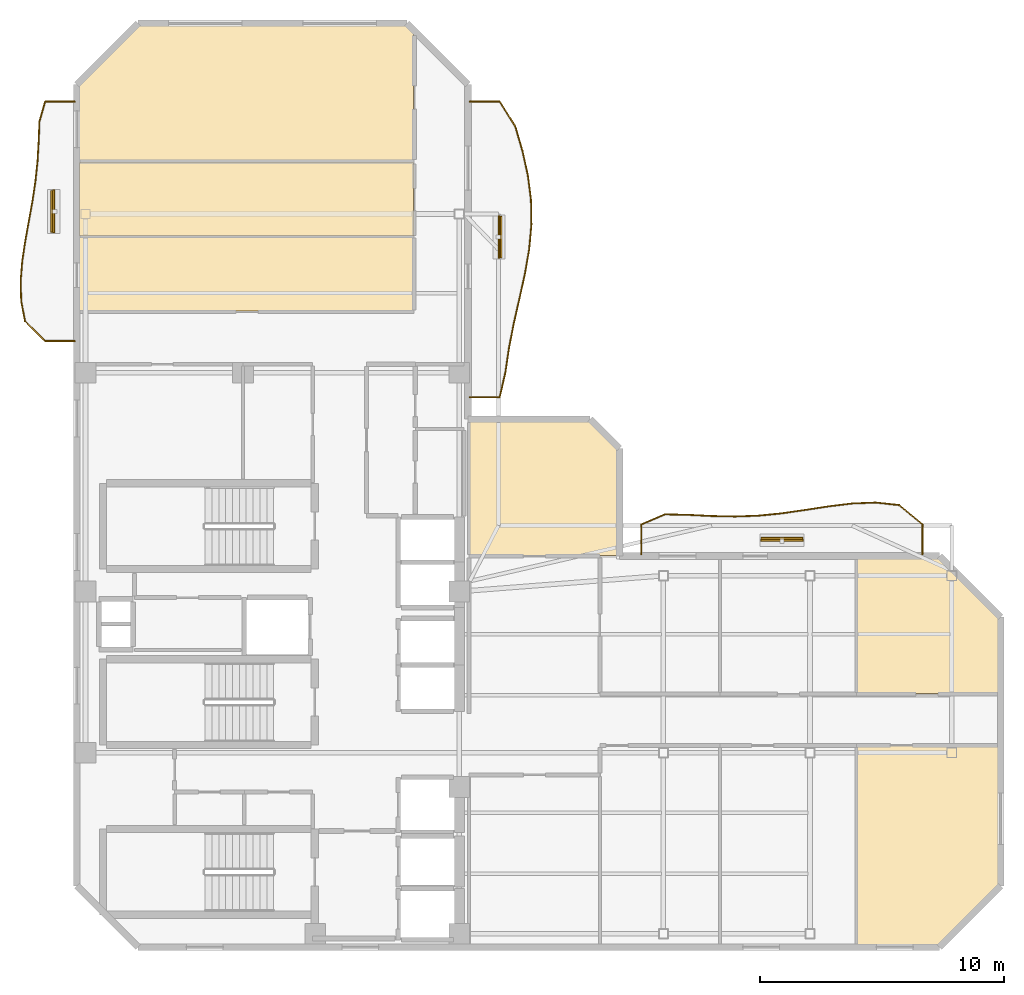
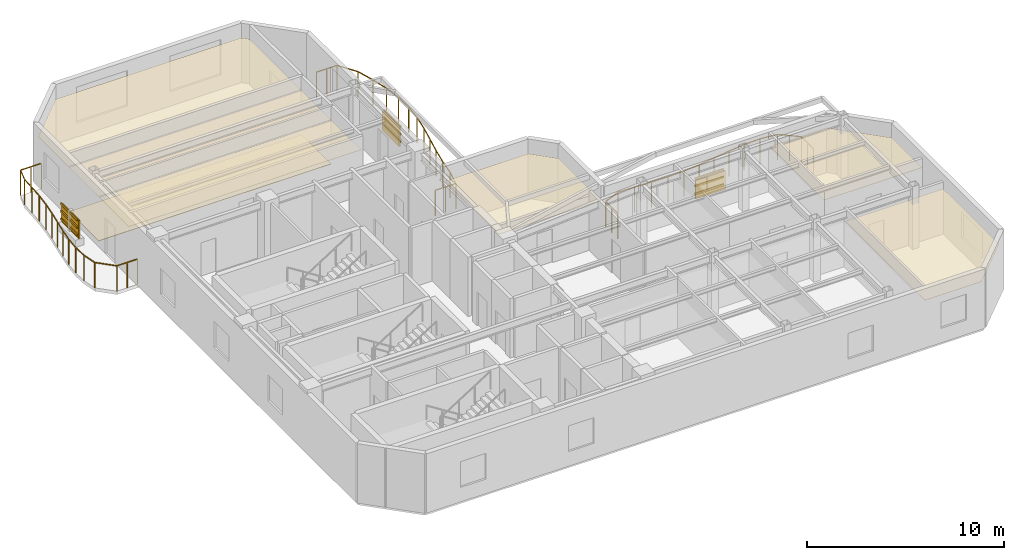
# One storey, part 7 of 7: 12 shading devices, 7 coverings, 3 railings.
"""IFC4 building model written with IfcOpenShell, lengths in metres."""

from ifc_helpers import new_model, si_unit, direction, frame, origin, origin_2d, place, context, subcontext, project, spatial, polyline, rectangle, outline, extrude, material, layer, layer_set, material_profile, profile_set, type_object, element, save


model = new_model("IFC4")

# Units and contexts
model_context = context("Model", 3, precision=1e-05, world=origin(), true_north=direction((0.0, 1.0)))
body_context = subcontext(model_context, "Body", "Model", "MODEL_VIEW")
ifc_project = project(units=[si_unit("LENGTHUNIT", "METRE"), si_unit("AREAUNIT", "SQUARE_METRE"), si_unit("VOLUMEUNIT", "CUBIC_METRE"), si_unit("PLANEANGLEUNIT", "RADIAN"), si_unit("MASSUNIT", "GRAM", prefix="KILO")], contexts=[model_context])

# Site, building, storey
site_placement = place(None, origin())
site = spatial("IfcSite", under=ifc_project, at=site_placement, CompositionType="ELEMENT")
building_placement = place(site_placement, origin())
building = spatial("IfcBuilding", under=site, at=building_placement, Name="Mawjaban Terraces University", CompositionType="ELEMENT")
storey_placement = place(building_placement, frame((0.0, 0.0, 298.89990234375)))
storey = spatial("IfcBuildingStorey", under=building, at=storey_placement, Name="L73", CompositionType="ELEMENT", Elevation=298.89990234375)

# Coverings
ifc_material_1 = material(Name="Acoustic mineral fibre ceiling tile", Category="masonry")
ifc_layer_1 = layer(ifc_material_1, 0.02001953125)
ifc_layer_set_1 = layer_set([ifc_layer_1], Name="Acoustic mineral fibre ceiling tile")
covering_type_1 = type_object("IfcCoveringType", Name="AcousticMineralCeiling_20", PredefinedType="CEILING", material=ifc_layer_set_1)
covering_1_placement = place(storey_placement, frame((0.0, 0.0, 2.75)))
element("IfcCovering", 1, at=covering_1_placement, inside=storey, type_object=covering_type_1, Name="L73 Departmental Office 6 Acoustic Ceiling", PredefinedType="CEILING", context=body_context, shape_type="SweptSolid", body=[
    extrude(outline(polyline([(53.926025390625, 0.114990234375), (57.2529296875, 0.114990234375), (59.68505859375, 2.547119140625), (59.68505859375, 8.219970703125), (53.926025390625, 8.219970703125), (53.926025390625, 0.114990234375)])), origin(), (0.0, 0.0, 1.0), 0.02001953125),
])
covering_2_placement = place(storey_placement, frame((0.0, 0.0, 2.75)))
element("IfcCovering", 2, at=covering_2_placement, inside=storey, type_object=covering_type_1, Name="L73 Faculty Office 7 Acoustic Ceiling", PredefinedType="CEILING", context=body_context, shape_type="SweptSolid", body=[
    extrude(outline(polyline([(59.68505859375, 10.3798828125), (59.68505859375, 13.452880859375), (57.2529296875, 15.885009765625), (53.926025390625, 15.885009765625), (53.926025390625, 10.3798828125), (59.68505859375, 10.3798828125)])), origin(), (0.0, 0.0, 1.0), 0.02001953125),
])
covering_3_placement = place(storey_placement, frame((0.0, 0.0, 2.75)))
element("IfcCovering", 3, at=covering_3_placement, inside=storey, type_object=covering_type_1, Name="L73 Departmental Office 8 Acoustic Ceiling", PredefinedType="CEILING", context=body_context, shape_type="SweptSolid", body=[
    extrude(outline(polyline([(22.114990234375, 29.0380859375), (22.114990234375, 26.030029296875), (35.77001953125, 26.030029296875), (35.77001953125, 29.0380859375), (22.114990234375, 29.0380859375)])), origin(), (0.0, 0.0, 1.0), 0.02001953125),
])
covering_4_placement = place(storey_placement, frame((0.0, 0.0, 2.75)))
element("IfcCovering", 4, at=covering_4_placement, inside=storey, type_object=covering_type_1, Name="L73 Quiet Reading Room 9 Acoustic Ceiling", PredefinedType="CEILING", context=body_context, shape_type="SweptSolid", body=[
    extrude(outline(polyline([(22.114990234375, 32.10595703125), (22.114990234375, 29.097900390625), (35.77001953125, 29.097900390625), (35.77001953125, 32.10595703125), (22.114990234375, 32.10595703125)])), origin(), (0.0, 0.0, 1.0), 0.02001953125),
])
covering_5_placement = place(storey_placement, frame((0.0, 0.0, 2.75)))
element("IfcCovering", 5, at=covering_5_placement, inside=storey, type_object=covering_type_1, Name="L73 Media Workshop 10 Acoustic Ceiling", PredefinedType="CEILING", context=body_context, shape_type="SweptSolid", body=[
    extrude(outline(polyline([(35.77001953125, 37.367919921875), (35.452880859375, 37.68505859375), (24.547119140625, 37.68505859375), (22.114990234375, 35.2529296875), (22.114990234375, 32.166015625), (35.77001953125, 32.166015625), (35.77001953125, 37.367919921875)])), origin(), (0.0, 0.0, 1.0), 0.02001953125),
])
covering_6_placement = place(storey_placement, frame((0.0, 0.0, 2.75)))
element("IfcCovering", 6, at=covering_6_placement, inside=storey, type_object=covering_type_1, Name="L73 Terrace Collaborative Study Room Acoustic Ceiling", PredefinedType="CEILING", context=body_context, shape_type="SweptSolid", body=[
    extrude(outline(polyline([(44.0849609375, 16.030029296875), (44.0849609375, 20.35302734375), (42.952880859375, 21.485107421875), (38.080078125, 21.485107421875), (38.080078125, 16.030029296875), (44.0849609375, 16.030029296875)])), origin(), (0.0, 0.0, 1.0), 0.02001953125),
])

# Railings
ifc_material_2 = material(Name="Galvanised powder-coated steel S355", Category="steel")
railing_type = type_object("IfcRailingType", Name="BalconyBalustrade_1600", PredefinedType="BALUSTRADE", material=ifc_material_2)
railing_1_placement = place(storey_placement, frame((21.919921875, 24.800048828125, 0.0)))
element("IfcRailing", 7, at=railing_1_placement, inside=storey, type_object=railing_type, Name="L73 Balcony Guardrail west", PredefinedType="BALUSTRADE", context=body_context, shape_type="SweptSolid", body=[
    extrude(rectangle(XDim=0.048095703125, YDim=0.048095703125, at=origin_2d()), frame((0.0, 0.0, 1.576171875), z_axis=(-1.0, 0.0, 0.0), x_axis=(0.0, -1.0, 0.0)), (0.0, 0.0, 1.0), 1.219970703125),
    extrude(rectangle(XDim=0.048095703125, YDim=0.048095703125, at=origin_2d()), frame((-1.219970703125, 0.0, 1.576171875), z_axis=(-0.710568043921, 0.703628492145, 0.0), x_axis=(-0.703628492145, -0.710568043921, 0.0)), (0.0, 0.0, 1.0), 1.160888671875),
    extrude(rectangle(XDim=0.048095703125, YDim=0.048095703125, at=origin_2d()), frame((-2.044921875, 0.81689453125, 1.576171875), z_axis=(-0.186612427055, 0.982433612041, 0.0), x_axis=(-0.982433612041, -0.186612427055, 0.0)), (0.0, 0.0, 1.0), 0.830810546875),
    extrude(rectangle(XDim=0.048095703125, YDim=0.048095703125, at=origin_2d()), frame((-2.199951171875, 1.633056640625, 1.576171875), z_axis=(-0.029276148669, 0.999571361694, 0.0), x_axis=(-0.999571361694, -0.029276148669, 0.0)), (0.0, 0.0, 1.0), 0.817138671875),
    extrude(rectangle(XDim=0.048095703125, YDim=0.048095703125, at=origin_2d()), frame((-2.223876953125, 2.449951171875, 1.576171875), z_axis=(0.079247882329, 0.996854940875, 0.0), x_axis=(-0.996854940875, 0.079247882329, 0.0)), (0.0, 0.0, 1.0), 0.819580078125),
    extrude(rectangle(XDim=0.048095703125, YDim=0.048095703125, at=origin_2d()), frame((-2.158935546875, 3.266845703125, 1.576171875), z_axis=(0.147920908399, 0.988999193558, 0.0), x_axis=(-0.988999193558, 0.147920908399, 0.0)), (0.0, 0.0, 1.0), 0.8251953125),
    extrude(rectangle(XDim=0.048095703125, YDim=0.048095703125, at=origin_2d()), frame((-2.036865234375, 4.0830078125, 1.576171875), z_axis=(0.178212541097, 0.983992017344, 0.0), x_axis=(-0.983992017344, 0.178212541097, 0.0)), (0.0, 0.0, 1.0), 0.830078125),
    extrude(rectangle(XDim=0.048095703125, YDim=0.048095703125, at=origin_2d()), frame((-1.888916015625, 4.89990234375, 1.576171875), z_axis=(0.178160985967, 0.98400135319, 0.0), x_axis=(-0.98400135319, 0.178160985967, 0.0)), (0.0, 0.0, 1.0), 0.830322265625),
    extrude(rectangle(XDim=0.048095703125, YDim=0.048095703125, at=origin_2d()), frame((-1.740966796875, 5.717041015625, 1.576171875), z_axis=(0.147964200706, 0.988992717521, 0.0), x_axis=(-0.988992717521, 0.147964200706, 0.0)), (0.0, 0.0, 1.0), 0.824951171875),
    extrude(rectangle(XDim=0.048095703125, YDim=0.048095703125, at=origin_2d()), frame((-1.618896484375, 6.532958984375, 1.576171875), z_axis=(0.10462289655, 0.994511965497, 0.0), x_axis=(-0.994511965497, 0.10462289655, 0.0)), (0.0, 0.0, 1.0), 0.8212890625),
    extrude(rectangle(XDim=0.048095703125, YDim=0.048095703125, at=origin_2d()), frame((-1.532958984375, 7.349853515625, 1.576171875), z_axis=(0.057567949493, 0.998341590434, 0.0), x_axis=(-0.998341590434, 0.057567949493, 0.0)), (0.0, 0.0, 1.0), 0.818603515625),
    extrude(rectangle(XDim=0.048095703125, YDim=0.048095703125, at=origin_2d()), frame((-1.48583984375, 8.1669921875, 1.576171875), z_axis=(0.039168005907, 0.999232639235, 0.0), x_axis=(-0.999232639235, 0.039168005907, 0.0)), (0.0, 0.0, 1.0), 0.816650390625),
    extrude(rectangle(XDim=0.048095703125, YDim=0.048095703125, at=origin_2d()), frame((-1.453857421875, 8.98291015625, 1.576171875), z_axis=(0.275176346112, 0.961393768724, 0.0), x_axis=(-0.961393768724, 0.275176346112, 0.0)), (0.0, 0.0, 1.0), 0.849853515625),
    extrude(rectangle(XDim=0.048095703125, YDim=0.048095703125, at=origin_2d()), frame((-1.219970703125, 9.800048828125, 1.576171875), z_axis=(1.0, 0.0, 0.0), x_axis=(0.0, 1.0, 0.0)), (0.0, 0.0, 1.0), 1.219970703125),
    extrude(rectangle(XDim=0.0419921875, YDim=0.0419921875, at=origin_2d()), origin(), (0.0, 0.0, 1.0), 1.552001953125),
    extrude(rectangle(XDim=0.0419921875, YDim=0.0419921875, at=origin_2d()), frame((-0.60986328125, 0.0, 0.0)), (0.0, 0.0, 1.0), 1.552001953125),
    extrude(rectangle(XDim=0.0419921875, YDim=0.0419921875, at=origin_2d()), frame((-1.219970703125, 0.0, 0.0)), (0.0, 0.0, 1.0), 1.552001953125),
    extrude(rectangle(XDim=0.0419921875, YDim=0.0419921875, at=origin_2d()), frame((-2.044921875, 0.81689453125, 0.0)), (0.0, 0.0, 1.0), 1.552001953125),
    extrude(rectangle(XDim=0.0419921875, YDim=0.0419921875, at=origin_2d()), frame((-2.199951171875, 1.633056640625, 0.0)), (0.0, 0.0, 1.0), 1.552001953125),
    extrude(rectangle(XDim=0.0419921875, YDim=0.0419921875, at=origin_2d()), frame((-2.223876953125, 2.449951171875, 0.0)), (0.0, 0.0, 1.0), 1.552001953125),
    extrude(rectangle(XDim=0.0419921875, YDim=0.0419921875, at=origin_2d()), frame((-2.158935546875, 3.266845703125, 0.0)), (0.0, 0.0, 1.0), 1.552001953125),
    extrude(rectangle(XDim=0.0419921875, YDim=0.0419921875, at=origin_2d()), frame((-2.036865234375, 4.0830078125, 0.0)), (0.0, 0.0, 1.0), 1.552001953125),
    extrude(rectangle(XDim=0.0419921875, YDim=0.0419921875, at=origin_2d()), frame((-1.888916015625, 4.89990234375, 0.0)), (0.0, 0.0, 1.0), 1.552001953125),
    extrude(rectangle(XDim=0.0419921875, YDim=0.0419921875, at=origin_2d()), frame((-1.740966796875, 5.717041015625, 0.0)), (0.0, 0.0, 1.0), 1.552001953125),
    extrude(rectangle(XDim=0.0419921875, YDim=0.0419921875, at=origin_2d()), frame((-1.618896484375, 6.532958984375, 0.0)), (0.0, 0.0, 1.0), 1.552001953125),
    extrude(rectangle(XDim=0.0419921875, YDim=0.0419921875, at=origin_2d()), frame((-1.532958984375, 7.349853515625, 0.0)), (0.0, 0.0, 1.0), 1.552001953125),
    extrude(rectangle(XDim=0.0419921875, YDim=0.0419921875, at=origin_2d()), frame((-1.48583984375, 8.1669921875, 0.0)), (0.0, 0.0, 1.0), 1.552001953125),
    extrude(rectangle(XDim=0.0419921875, YDim=0.0419921875, at=origin_2d()), frame((-1.453857421875, 8.98291015625, 0.0)), (0.0, 0.0, 1.0), 1.552001953125),
    extrude(rectangle(XDim=0.0419921875, YDim=0.0419921875, at=origin_2d()), frame((-1.219970703125, 9.800048828125, 0.0)), (0.0, 0.0, 1.0), 1.552001953125),
    extrude(rectangle(XDim=0.0419921875, YDim=0.0419921875, at=origin_2d()), frame((-0.60986328125, 9.800048828125, 0.0)), (0.0, 0.0, 1.0), 1.552001953125),
    extrude(rectangle(XDim=0.0419921875, YDim=0.0419921875, at=origin_2d()), frame((0.0, 9.800048828125, 0.0)), (0.0, 0.0, 1.0), 1.552001953125),
])
railing_2_placement = place(storey_placement, frame((45.10009765625, 16.080078125, 0.0)))
element("IfcRailing", 8, at=railing_2_placement, inside=storey, type_object=railing_type, Name="L73 Balcony Guardrail inner_north", PredefinedType="BALUSTRADE", context=body_context, shape_type="SweptSolid", body=[
    extrude(rectangle(XDim=0.048095703125, YDim=0.048095703125, at=origin_2d()), frame((0.0, 0.0, 1.576171875), z_axis=(0.0, 1.0, 0.0), x_axis=(-1.0, 0.0, 0.0)), (0.0, 0.0, 1.0), 1.219970703125),
    extrude(rectangle(XDim=0.048095703125, YDim=0.048095703125, at=origin_2d()), frame((0.0, 1.219970703125, 1.576171875), z_axis=(0.919375128815, 0.393381967706, 0.0), x_axis=(-0.393381967706, 0.919375128815, 0.0)), (0.0, 0.0, 1.0), 1.0419921875),
    extrude(rectangle(XDim=0.048095703125, YDim=0.048095703125, at=origin_2d()), frame((0.9580078125, 1.6298828125, 1.576171875), z_axis=(0.999782172438, -0.020871216431, 0.0), x_axis=(0.020871216431, 0.999782172438, 0.0)), (0.0, 0.0, 1.0), 0.959228515625),
    extrude(rectangle(XDim=0.048095703125, YDim=0.048095703125, at=origin_2d()), frame((1.9169921875, 1.60986328125, 1.576171875), z_axis=(0.998754876487, -0.049886838887, 0.0), x_axis=(0.049886838887, 0.998754876487, 0.0)), (0.0, 0.0, 1.0), 0.959228515625),
    extrude(rectangle(XDim=0.048095703125, YDim=0.048095703125, at=origin_2d()), frame((2.875, 1.56201171875, 1.576171875), z_axis=(0.999781728264, -0.020892482599, 0.0), x_axis=(0.020892482599, 0.999781728264, 0.0)), (0.0, 0.0, 1.0), 0.958251953125),
    extrude(rectangle(XDim=0.048095703125, YDim=0.048095703125, at=origin_2d()), frame((3.8330078125, 1.5419921875, 1.576171875), z_axis=(0.999337985213, 0.036381194472, 0.0), x_axis=(-0.036381194472, 0.999337985213, 0.0)), (0.0, 0.0, 1.0), 0.959716796875),
    extrude(rectangle(XDim=0.048095703125, YDim=0.048095703125, at=origin_2d()), frame((4.7919921875, 1.576904296875, 1.576171875), z_axis=(0.995122193927, 0.098649983037, 0.0), x_axis=(-0.098649983037, 0.995122193927, 0.0)), (0.0, 0.0, 1.0), 0.962646484375),
    extrude(rectangle(XDim=0.048095703125, YDim=0.048095703125, at=origin_2d()), frame((5.75, 1.671875, 1.576171875), z_axis=(0.989613853355, 0.143751247812, 0.0), x_axis=(-0.143751247812, 0.989613853355, 0.0)), (0.0, 0.0, 1.0), 0.968017578125),
    extrude(rectangle(XDim=0.048095703125, YDim=0.048095703125, at=origin_2d()), frame((6.7080078125, 1.81103515625, 1.576171875), z_axis=(0.988307617897, 0.152473120276, 0.0), x_axis=(-0.152473120276, 0.988307617897, 0.0)), (0.0, 0.0, 1.0), 0.97021484375),
    extrude(rectangle(XDim=0.048095703125, YDim=0.048095703125, at=origin_2d()), frame((7.6669921875, 1.958984375, 1.576171875), z_axis=(0.992631784309, 0.121169883966, 0.0), x_axis=(-0.121169883966, 0.992631784309, 0.0)), (0.0, 0.0, 1.0), 0.965087890625),
    extrude(rectangle(XDim=0.048095703125, YDim=0.048095703125, at=origin_2d()), frame((8.625, 2.075927734375, 1.576171875), z_axis=(0.999250605016, 0.038706955138, 0.0), x_axis=(-0.038706955138, 0.999250605016, 0.0)), (0.0, 0.0, 1.0), 0.958740234375),
    extrude(rectangle(XDim=0.048095703125, YDim=0.048095703125, at=origin_2d()), frame((9.5830078125, 2.113037109375, 1.576171875), z_axis=(0.994385513116, -0.105818010306, 0.0), x_axis=(0.105818010306, 0.994385513116, 0.0)), (0.0, 0.0, 1.0), 0.96435546875),
    extrude(rectangle(XDim=0.048095703125, YDim=0.048095703125, at=origin_2d()), frame((10.5419921875, 2.010986328125, 1.576171875), z_axis=(0.771112757085, -0.636698606768, 0.0), x_axis=(0.636698606768, 0.771112757085, 0.0)), (0.0, 0.0, 1.0), 1.242431640625),
    extrude(rectangle(XDim=0.048095703125, YDim=0.048095703125, at=origin_2d()), frame((11.5, 1.219970703125, 1.576171875), z_axis=(0.0, -1.0, 0.0), x_axis=(1.0, 0.0, 0.0)), (0.0, 0.0, 1.0), 1.219970703125),
    extrude(rectangle(XDim=0.0419921875, YDim=0.0419921875, at=origin_2d()), origin(), (0.0, 0.0, 1.0), 1.552001953125),
    extrude(rectangle(XDim=0.0419921875, YDim=0.0419921875, at=origin_2d()), frame((0.0, 0.60986328125, 0.0)), (0.0, 0.0, 1.0), 1.552001953125),
    extrude(rectangle(XDim=0.0419921875, YDim=0.0419921875, at=origin_2d()), frame((0.0, 1.219970703125, 0.0)), (0.0, 0.0, 1.0), 1.552001953125),
    extrude(rectangle(XDim=0.0419921875, YDim=0.0419921875, at=origin_2d()), frame((0.9580078125, 1.6298828125, 0.0)), (0.0, 0.0, 1.0), 1.552001953125),
    extrude(rectangle(XDim=0.0419921875, YDim=0.0419921875, at=origin_2d()), frame((1.9169921875, 1.60986328125, 0.0)), (0.0, 0.0, 1.0), 1.552001953125),
    extrude(rectangle(XDim=0.0419921875, YDim=0.0419921875, at=origin_2d()), frame((2.875, 1.56201171875, 0.0)), (0.0, 0.0, 1.0), 1.552001953125),
    extrude(rectangle(XDim=0.0419921875, YDim=0.0419921875, at=origin_2d()), frame((3.8330078125, 1.5419921875, 0.0)), (0.0, 0.0, 1.0), 1.552001953125),
    extrude(rectangle(XDim=0.0419921875, YDim=0.0419921875, at=origin_2d()), frame((4.7919921875, 1.576904296875, 0.0)), (0.0, 0.0, 1.0), 1.552001953125),
    extrude(rectangle(XDim=0.0419921875, YDim=0.0419921875, at=origin_2d()), frame((5.75, 1.671875, 0.0)), (0.0, 0.0, 1.0), 1.552001953125),
    extrude(rectangle(XDim=0.0419921875, YDim=0.0419921875, at=origin_2d()), frame((6.7080078125, 1.81103515625, 0.0)), (0.0, 0.0, 1.0), 1.552001953125),
    extrude(rectangle(XDim=0.0419921875, YDim=0.0419921875, at=origin_2d()), frame((7.6669921875, 1.958984375, 0.0)), (0.0, 0.0, 1.0), 1.552001953125),
    extrude(rectangle(XDim=0.0419921875, YDim=0.0419921875, at=origin_2d()), frame((8.625, 2.075927734375, 0.0)), (0.0, 0.0, 1.0), 1.552001953125),
    extrude(rectangle(XDim=0.0419921875, YDim=0.0419921875, at=origin_2d()), frame((9.5830078125, 2.113037109375, 0.0)), (0.0, 0.0, 1.0), 1.552001953125),
    extrude(rectangle(XDim=0.0419921875, YDim=0.0419921875, at=origin_2d()), frame((10.5419921875, 2.010986328125, 0.0)), (0.0, 0.0, 1.0), 1.552001953125),
    extrude(rectangle(XDim=0.0419921875, YDim=0.0419921875, at=origin_2d()), frame((11.02099609375, 1.615478515625, 0.0)), (0.0, 0.0, 1.0), 1.552001953125),
    extrude(rectangle(XDim=0.0419921875, YDim=0.0419921875, at=origin_2d()), frame((11.5, 1.219970703125, 0.0)), (0.0, 0.0, 1.0), 1.552001953125),
    extrude(rectangle(XDim=0.0419921875, YDim=0.0419921875, at=origin_2d()), frame((11.5, 0.60986328125, 0.0)), (0.0, 0.0, 1.0), 1.552001953125),
    extrude(rectangle(XDim=0.0419921875, YDim=0.0419921875, at=origin_2d()), frame((11.5, 0.0, 0.0)), (0.0, 0.0, 1.0), 1.552001953125),
])
railing_3_placement = place(storey_placement, frame((38.080078125, 22.5, 0.0)))
element("IfcRailing", 9, at=railing_3_placement, inside=storey, type_object=railing_type, Name="L73 Balcony Guardrail inner_east", PredefinedType="BALUSTRADE", context=body_context, shape_type="SweptSolid", body=[
    extrude(rectangle(XDim=0.048095703125, YDim=0.048095703125, at=origin_2d()), frame((0.0, 0.0, 1.576171875), z_axis=(1.0, 0.0, 0.0), x_axis=(0.0, 1.0, 0.0)), (0.0, 0.0, 1.0), 1.219970703125),
    extrude(rectangle(XDim=0.048095703125, YDim=0.048095703125, at=origin_2d()), frame((1.219970703125, 0.0, 1.576171875), z_axis=(0.226908976283, 0.973915969929, 0.0), x_axis=(-0.973915969929, 0.226908976283, 0.0)), (0.0, 0.0, 1.0), 1.03515625),
    extrude(rectangle(XDim=0.048095703125, YDim=0.048095703125, at=origin_2d()), frame((1.454833984375, 1.008056640625, 1.576171875), z_axis=(0.145307910641, 0.989386482172, 0.0), x_axis=(-0.989386482172, 0.145307910641, 0.0)), (0.0, 0.0, 1.0), 1.019775390625),
    extrude(rectangle(XDim=0.048095703125, YDim=0.048095703125, at=origin_2d()), frame((1.60302734375, 2.01708984375, 1.576171875), z_axis=(0.191633256521, 0.981466604116, 0.0), x_axis=(-0.981466604116, 0.191633256521, 0.0)), (0.0, 0.0, 1.0), 1.02685546875),
    extrude(rectangle(XDim=0.048095703125, YDim=0.048095703125, at=origin_2d()), frame((1.7998046875, 3.02490234375, 1.576171875), z_axis=(0.221529232204, 0.9751537311, 0.0), x_axis=(-0.9751537311, 0.221529232204, 0.0)), (0.0, 0.0, 1.0), 1.03369140625),
    extrude(rectangle(XDim=0.048095703125, YDim=0.048095703125, at=origin_2d()), frame((2.02880859375, 4.032958984375, 1.576171875), z_axis=(0.216830419577, 0.976209285525, 0.0), x_axis=(-0.976209285525, 0.216830419577, 0.0)), (0.0, 0.0, 1.0), 1.03369140625),
    extrude(rectangle(XDim=0.048095703125, YDim=0.048095703125, at=origin_2d()), frame((2.2529296875, 5.0419921875, 1.576171875), z_axis=(0.172015723217, 0.985094204108, 0.0), x_axis=(-0.985094204108, 0.172015723217, 0.0)), (0.0, 0.0, 1.0), 1.023193359375),
    extrude(rectangle(XDim=0.048095703125, YDim=0.048095703125, at=origin_2d()), frame((2.428955078125, 6.050048828125, 1.576171875), z_axis=(0.089970278549, 0.995944450749, 0.0), x_axis=(-0.995944450749, 0.089970278549, 0.0)), (0.0, 0.0, 1.0), 1.01220703125),
    extrude(rectangle(XDim=0.048095703125, YDim=0.048095703125, at=origin_2d()), frame((2.52001953125, 7.05810546875, 1.576171875), z_axis=(-0.015970857263, 0.999872457726, 0.0), x_axis=(-0.999872457726, -0.015970857263, 0.0)), (0.0, 0.0, 1.0), 1.009033203125),
    extrude(rectangle(XDim=0.048095703125, YDim=0.048095703125, at=origin_2d()), frame((2.50390625, 8.06689453125, 1.576171875), z_axis=(-0.125897473315, 0.992043258237, 0.0), x_axis=(-0.992043258237, -0.125897473315, 0.0)), (0.0, 0.0, 1.0), 1.01611328125),
    extrude(rectangle(XDim=0.048095703125, YDim=0.048095703125, at=origin_2d()), frame((2.3759765625, 9.074951171875, 1.576171875), z_axis=(-0.21522723098, 0.97656399639, 0.0), x_axis=(-0.97656399639, -0.21522723098, 0.0)), (0.0, 0.0, 1.0), 1.0322265625),
    extrude(rectangle(XDim=0.048095703125, YDim=0.048095703125, at=origin_2d()), frame((2.15380859375, 10.0830078125, 1.576171875), z_axis=(-0.283108453944, 0.959087901762, 0.0), x_axis=(-0.959087901762, -0.283108453944, 0.0)), (0.0, 0.0, 1.0), 1.052001953125),
    extrude(rectangle(XDim=0.048095703125, YDim=0.048095703125, at=origin_2d()), frame((1.85595703125, 11.092041015625, 1.576171875), z_axis=(-0.533584484103, 0.845746769621, 0.0), x_axis=(-0.845746769621, -0.533584484103, 0.0)), (0.0, 0.0, 1.0), 1.19189453125),
    extrude(rectangle(XDim=0.048095703125, YDim=0.048095703125, at=origin_2d()), frame((1.219970703125, 12.10009765625, 1.576171875), z_axis=(-1.0, 0.0, 0.0), x_axis=(0.0, -1.0, 0.0)), (0.0, 0.0, 1.0), 1.219970703125),
    extrude(rectangle(XDim=0.0419921875, YDim=0.0419921875, at=origin_2d()), origin(), (0.0, 0.0, 1.0), 1.552001953125),
    extrude(rectangle(XDim=0.0419921875, YDim=0.0419921875, at=origin_2d()), frame((0.60986328125, 0.0, 0.0)), (0.0, 0.0, 1.0), 1.552001953125),
    extrude(rectangle(XDim=0.0419921875, YDim=0.0419921875, at=origin_2d()), frame((1.219970703125, 0.0, 0.0)), (0.0, 0.0, 1.0), 1.552001953125),
    extrude(rectangle(XDim=0.0419921875, YDim=0.0419921875, at=origin_2d()), frame((1.454833984375, 1.008056640625, 0.0)), (0.0, 0.0, 1.0), 1.552001953125),
    extrude(rectangle(XDim=0.0419921875, YDim=0.0419921875, at=origin_2d()), frame((1.60302734375, 2.01708984375, 0.0)), (0.0, 0.0, 1.0), 1.552001953125),
    extrude(rectangle(XDim=0.0419921875, YDim=0.0419921875, at=origin_2d()), frame((1.7998046875, 3.02490234375, 0.0)), (0.0, 0.0, 1.0), 1.552001953125),
    extrude(rectangle(XDim=0.0419921875, YDim=0.0419921875, at=origin_2d()), frame((2.02880859375, 4.032958984375, 0.0)), (0.0, 0.0, 1.0), 1.552001953125),
    extrude(rectangle(XDim=0.0419921875, YDim=0.0419921875, at=origin_2d()), frame((2.2529296875, 5.0419921875, 0.0)), (0.0, 0.0, 1.0), 1.552001953125),
    extrude(rectangle(XDim=0.0419921875, YDim=0.0419921875, at=origin_2d()), frame((2.428955078125, 6.050048828125, 0.0)), (0.0, 0.0, 1.0), 1.552001953125),
    extrude(rectangle(XDim=0.0419921875, YDim=0.0419921875, at=origin_2d()), frame((2.52001953125, 7.05810546875, 0.0)), (0.0, 0.0, 1.0), 1.552001953125),
    extrude(rectangle(XDim=0.0419921875, YDim=0.0419921875, at=origin_2d()), frame((2.50390625, 8.06689453125, 0.0)), (0.0, 0.0, 1.0), 1.552001953125),
    extrude(rectangle(XDim=0.0419921875, YDim=0.0419921875, at=origin_2d()), frame((2.3759765625, 9.074951171875, 0.0)), (0.0, 0.0, 1.0), 1.552001953125),
    extrude(rectangle(XDim=0.0419921875, YDim=0.0419921875, at=origin_2d()), frame((2.15380859375, 10.0830078125, 0.0)), (0.0, 0.0, 1.0), 1.552001953125),
    extrude(rectangle(XDim=0.0419921875, YDim=0.0419921875, at=origin_2d()), frame((1.85595703125, 11.092041015625, 0.0)), (0.0, 0.0, 1.0), 1.552001953125),
    extrude(rectangle(XDim=0.0419921875, YDim=0.0419921875, at=origin_2d()), frame((1.219970703125, 12.10009765625, 0.0)), (0.0, 0.0, 1.0), 1.552001953125),
    extrude(rectangle(XDim=0.0419921875, YDim=0.0419921875, at=origin_2d()), frame((0.60986328125, 12.10009765625, 0.0)), (0.0, 0.0, 1.0), 1.552001953125),
    extrude(rectangle(XDim=0.0419921875, YDim=0.0419921875, at=origin_2d()), frame((0.0, 12.10009765625, 0.0)), (0.0, 0.0, 1.0), 1.552001953125),
])

# Shading devices
ifc_material_3 = material(Name="Glazed architectural terracotta ceramic", Category="masonry")
ifc_material_profile = material_profile(ifc_material_3, rectangle(XDim=0.06494140625, YDim=0.110107421875, at=origin_2d()), Name="TBAG110X65")
ifc_profile_set = profile_set([ifc_material_profile], Name="Glazed architectural terracotta ceramic")
shading_device_type_1 = type_object("IfcShadingDeviceType", Name="TerracottaBaguette_110x65", PredefinedType="USERDEFINED", material=ifc_profile_set)
for number, where, z_axis, x_axis, name in (
    (10, (20.971923828125, 29.258056640625, 0.68017578125), (0.0, 1.0, 0.0), (-1.0, 0.0, 0.0), "L73 Horizontal Terracotta Baguette west.1"),
    (11, (20.971923828125, 29.258056640625, 1.150146484375), (0.0, 1.0, 0.0), (-1.0, 0.0, 0.0), "L73 Horizontal Terracotta Baguette west.2"),
    (12, (20.971923828125, 29.258056640625, 1.6201171875), (0.0, 1.0, 0.0), (-1.0, 0.0, 0.0), "L73 Horizontal Terracotta Baguette west.3"),
    (13, (50.0, 16.72998046875, 0.68017578125), (1.0, 0.0, 0.0), (0.0, 1.0, 0.0), "L73 Horizontal Terracotta Baguette inner_north.1"),
    (14, (50.0, 16.72998046875, 1.150146484375), (1.0, 0.0, 0.0), (0.0, 1.0, 0.0), "L73 Horizontal Terracotta Baguette inner_north.2"),
    (15, (50.0, 16.72998046875, 1.6201171875), (1.0, 0.0, 0.0), (0.0, 1.0, 0.0), "L73 Horizontal Terracotta Baguette inner_north.3"),
    (16, (39.35693359375, 28.2041015625, 0.68017578125), (0.0, 1.0, 0.0), (-1.0, 0.0, 0.0), "L73 Horizontal Terracotta Baguette inner_east.1"),
    (17, (39.35693359375, 28.2041015625, 1.150146484375), (0.0, 1.0, 0.0), (-1.0, 0.0, 0.0), "L73 Horizontal Terracotta Baguette inner_east.2"),
    (18, (39.35693359375, 28.2041015625, 1.6201171875), (0.0, 1.0, 0.0), (-1.0, 0.0, 0.0), "L73 Horizontal Terracotta Baguette inner_east.3"),
):
    element("IfcShadingDevice", number, at=place(storey_placement, frame(where, z_axis=z_axis, x_axis=x_axis)), inside=storey, type_object=shading_device_type_1, Name=name, ObjectType="BAGUETTE", PredefinedType="USERDEFINED", context=body_context, shape_type="SweptSolid", body=[
        extrude(rectangle(XDim=0.06494140625, YDim=0.110107421875, at=origin_2d()), origin(), (0.0, 0.0, 1.0), 1.699951171875),
    ])
ifc_layer_2 = layer(ifc_material_3, 0.080078125)
ifc_layer_set_2 = layer_set([ifc_layer_2], Name="Glazed architectural terracotta ceramic")
shading_device_type_2 = type_object("IfcShadingDeviceType", Name="TerracottaScreen_Perforated", PredefinedType="USERDEFINED", material=ifc_layer_set_2)
for number, where, z_axis, x_axis, name in (
    (19, (21.056884765625, 30.10791015625, 0.440185546875), (0.0, 0.0, 1.0), (0.0, 1.0, 0.0), "L73 Balcony Perforated Terracotta Screen west"),
    (20, (50.85009765625, 16.64501953125, 0.440185546875), (0.0, 0.0, 1.0), (1.0, 0.0, 0.0), "L73 Balcony Perforated Terracotta Screen inner_north"),
    (21, (39.27197265625, 29.053955078125, 0.440185546875), (0.0, 0.0, 1.0), (0.0, 1.0, 0.0), "L73 Balcony Perforated Terracotta Screen inner_east"),
):
    element("IfcShadingDevice", number, at=place(storey_placement, frame(where, z_axis=z_axis, x_axis=x_axis)), inside=storey, type_object=shading_device_type_2, Name=name, ObjectType="SCREEN", PredefinedType="USERDEFINED", context=body_context, shape_type="SweptSolid", body=[
        extrude(rectangle(XDim=1.75, YDim=0.080078125, at=origin_2d()), origin(), (0.0, 0.0, 1.0), 1.14990234375),
    ])

# Covering
ifc_material_4 = material(Name="Polished Hijazi granite terrazzo flooring", Category="masonry")
ifc_layer_3 = layer(ifc_material_4, 0.02490234375)
ifc_layer_set_3 = layer_set([ifc_layer_3], Name="Polished Hijazi granite terrazzo flooring")
covering_type_2 = type_object("IfcCoveringType", Name="TerrazzoConcourseFlooring_25", PredefinedType="FLOORING", material=ifc_layer_set_3)
covering_7_placement = place(storey_placement, origin())
element("IfcCovering", 22, at=covering_7_placement, inside=storey, type_object=covering_type_2, Name="L73 Quiet Reading Room 9 Terrazzo Flooring", PredefinedType="FLOORING", context=body_context, shape_type="SweptSolid", body=[
    extrude(outline(polyline([(22.114990234375, 32.10595703125), (22.114990234375, 29.097900390625), (35.77001953125, 29.097900390625), (35.77001953125, 32.10595703125), (22.114990234375, 32.10595703125)])), origin(), (0.0, 0.0, 1.0), 0.025146484375),
])

save(model, "model.ifc")
